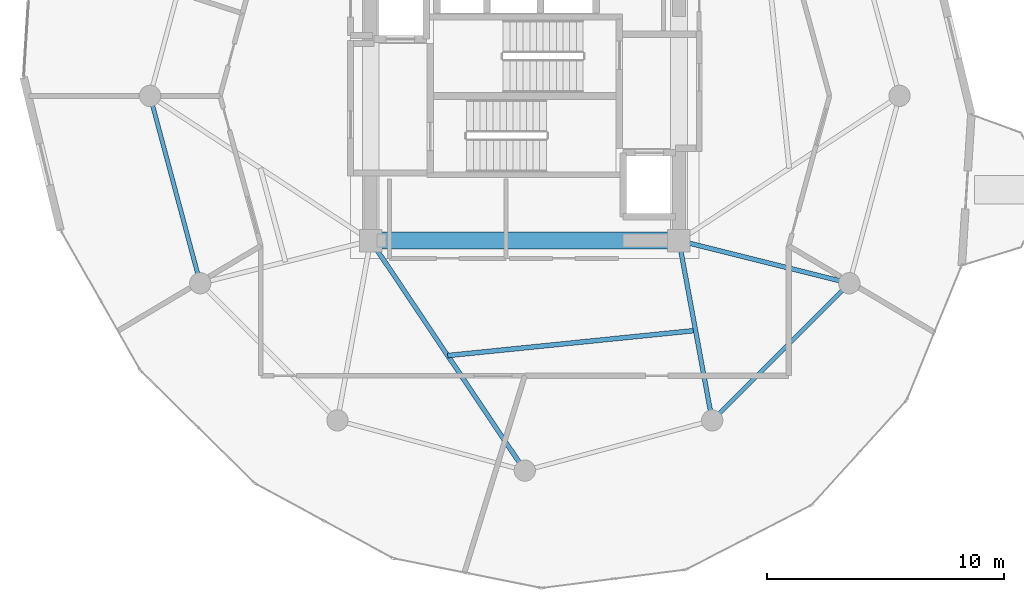
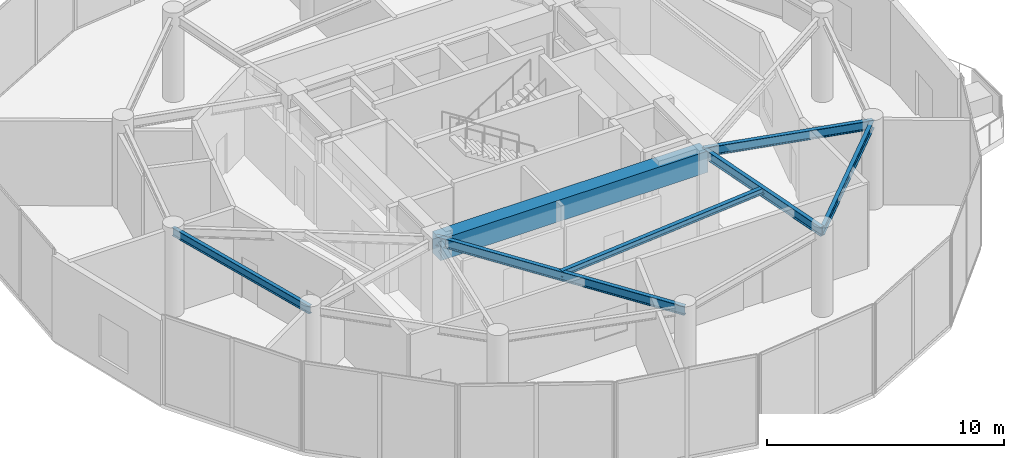
# One storey, part 6 of 23: 7 beams.
"""IFC4 building model written with IfcOpenShell, lengths in metres."""

from ifc_helpers import new_model, si_unit, direction, frame, origin, origin_2d, place, context, subcontext, project, spatial, rectangle, i_section, extrude, material, material_profile, profile_set, type_object, element, save


model = new_model("IFC4")

# Units and contexts
model_context = context("Model", 3, precision=1e-05, world=origin(), true_north=direction((0.0, 1.0)))
body_context = subcontext(model_context, "Body", "Model", "MODEL_VIEW")
ifc_project = project(units=[si_unit("LENGTHUNIT", "METRE"), si_unit("AREAUNIT", "SQUARE_METRE"), si_unit("VOLUMEUNIT", "CUBIC_METRE"), si_unit("PLANEANGLEUNIT", "RADIAN"), si_unit("MASSUNIT", "GRAM", prefix="KILO")], contexts=[model_context])

# Site, building, storey
site_placement = place(None, origin())
site = spatial("IfcSite", under=ifc_project, at=site_placement, CompositionType="ELEMENT")
building_placement = place(site_placement, origin())
building = spatial("IfcBuilding", under=site, at=building_placement, Name="Solvirekh Grand Hotel", CompositionType="ELEMENT")
storey_placement = place(building_placement, frame((0.0, 0.0, 168.60009765625)))
storey = spatial("IfcBuildingStorey", under=building, at=storey_placement, Name="L43", CompositionType="ELEMENT", Elevation=168.60009765625)

# Beams
ifc_material_1 = material(Name="Concrete C60/75", Category="concrete")
ifc_material_profile_1 = material_profile(ifc_material_1, rectangle(XDim=0.699951171875, YDim=1.10009765625, at=origin_2d()), Name="RC BEAM 700X1100")
ifc_profile_set_1 = profile_set([ifc_material_profile_1], Name="Concrete C60/75")
beam_type_1 = type_object("IfcBeamType", Name="Beam_Core_RC1100", PredefinedType="BEAM", material=ifc_profile_set_1)
beam_1_placement = place(storey_placement, frame((-6.5, -6.10009765625, 3.809814453125), z_axis=(1.0, 0.0, 0.0), x_axis=(0.0, 1.0, 0.0)))
element("IfcBeam", 1, at=beam_1_placement, inside=storey, type_object=beam_type_1, Name="L43 core coupling ring beam 1", PredefinedType="BEAM", context=body_context, shape_type="SweptSolid", body=[
    extrude(rectangle(XDim=0.699951171875, YDim=1.10009765625, at=origin_2d()), origin(), (0.0, 0.0, 1.0), 13.0),
])
ifc_material_2 = material(Name="Steel S355", Category="steel")
ifc_material_profile_2 = material_profile(ifc_material_2, i_section(OverallWidth=0.194091796875, OverallDepth=0.468994140625, WebThickness=0.010986328125, FlangeThickness=0.01904296875, FilletRadius=0.012939453125, at=origin_2d()), Name="W460X106")
ifc_profile_set_2 = profile_set([ifc_material_profile_2], Name="Steel S355")
beam_type_2 = type_object("IfcBeamType", Name="Beam_Radial_W460H", PredefinedType="BEAM", material=ifc_profile_set_2)
beam_2_placement = place(storey_placement, frame((-6.5, -6.10009765625, 4.1259765625), z_axis=(0.556676926176, -0.830729077295, 0.0), x_axis=(0.830729077295, 0.556676926176, 0.0)))
element("IfcBeam", 2, at=beam_2_placement, inside=storey, type_object=beam_type_2, Name="L43 radial floor beam R10", PredefinedType="BEAM", context=body_context, shape_type="SweptSolid", body=[
    extrude(i_section(OverallWidth=0.194091796875, OverallDepth=0.468994140625, WebThickness=0.010986328125, FlangeThickness=0.01904296875, FilletRadius=0.012939453125, at=origin_2d()), origin(), (0.0, 0.0, 1.0), 11.676513671875),
])
beam_3_placement = place(storey_placement, frame((6.5, -6.10009765625, 4.1259765625), z_axis=(0.181542769111, -0.983383049978, 0.0), x_axis=(0.983383049978, 0.181542769111, 0.0)))
element("IfcBeam", 3, at=beam_3_placement, inside=storey, type_object=beam_type_2, Name="L43 radial floor beam R11", PredefinedType="BEAM", context=body_context, shape_type="SweptSolid", body=[
    extrude(i_section(OverallWidth=0.194091796875, OverallDepth=0.468994140625, WebThickness=0.010986328125, FlangeThickness=0.01904296875, FilletRadius=0.012939453125, at=origin_2d()), origin(), (0.0, 0.0, 1.0), 7.711181640625),
])
beam_4_placement = place(storey_placement, frame((6.5, -6.10009765625, 4.1259765625), z_axis=(0.970014367692, -0.243047580675, 0.0), x_axis=(0.243047580675, 0.970014367692, 0.0)))
element("IfcBeam", 4, at=beam_4_placement, inside=storey, type_object=beam_type_2, Name="L43 radial floor beam R12", PredefinedType="BEAM", context=body_context, shape_type="SweptSolid", body=[
    extrude(i_section(OverallWidth=0.194091796875, OverallDepth=0.468994140625, WebThickness=0.010986328125, FlangeThickness=0.01904296875, FilletRadius=0.012939453125, at=origin_2d()), origin(), (0.0, 0.0, 1.0), 7.4052734375),
])
ifc_material_profile_3 = material_profile(ifc_material_2, i_section(OverallWidth=0.202880859375, OverallDepth=0.302978515625, WebThickness=0.008056640625, FlangeThickness=0.012939453125, FilletRadius=0.010009765625, at=origin_2d()), Name="W310X60")
ifc_profile_set_3 = profile_set([ifc_material_profile_3], Name="Steel S355")
beam_type_3 = type_object("IfcBeamType", Name="Joist_Floor_W310", PredefinedType="JOIST", material=ifc_profile_set_3)
beam_5_placement = place(storey_placement, frame((-3.25, -10.949951171875, 4.208984375), z_axis=(0.994915167737, 0.100716478326, 0.0), x_axis=(-0.100716478326, 0.994915167737, 0.0)))
element("IfcBeam", 5, at=beam_5_placement, inside=storey, type_object=beam_type_3, Name="L43 secondary composite floor joist 10", PredefinedType="JOIST", context=body_context, shape_type="SweptSolid", body=[
    extrude(i_section(OverallWidth=0.202880859375, OverallDepth=0.302978515625, WebThickness=0.008056640625, FlangeThickness=0.012939453125, FilletRadius=0.010009765625, at=origin_2d()), origin(), (0.0, 0.0, 1.0), 10.50341796875),
])
ifc_material_profile_4 = material_profile(ifc_material_2, i_section(OverallWidth=0.180908203125, OverallDepth=0.4169921875, WebThickness=0.010009765625, FlangeThickness=0.01611328125, FilletRadius=0.011962890625, at=origin_2d()), Name="W410X85")
ifc_profile_set_4 = profile_set([ifc_material_profile_4], Name="Steel S355")
beam_type_4 = type_object("IfcBeamType", Name="Spandrel_Ring_W410", PredefinedType="SPANDREL", material=ifc_profile_set_4)
for number, where, z_axis, x_axis, name in (
    (6, (-15.800048828125, 0.0, 4.15185546875), (0.258838541915, -0.965920601923, 0.0), (0.965920601923, 0.258838541915, 0.0), "L43 perimeter spandrel beam 7"),
    (7, (7.89990234375, -13.68310546875, 4.15185546875), (0.707106781187, 0.707106781187, 0.0), (-0.707106781187, 0.707106781187, 0.0), "L43 perimeter spandrel beam 11"),
):
    element("IfcBeam", number, at=place(storey_placement, frame(where, z_axis=z_axis, x_axis=x_axis)), inside=storey, type_object=beam_type_4, Name=name, PredefinedType="SPANDREL", context=body_context, shape_type="SweptSolid", body=[
        extrude(i_section(OverallWidth=0.180908203125, OverallDepth=0.4169921875, WebThickness=0.010009765625, FlangeThickness=0.01611328125, FilletRadius=0.011962890625, at=origin_2d()), origin(), (0.0, 0.0, 1.0), 8.1787109375),
    ])

save(model, "model.ifc")
